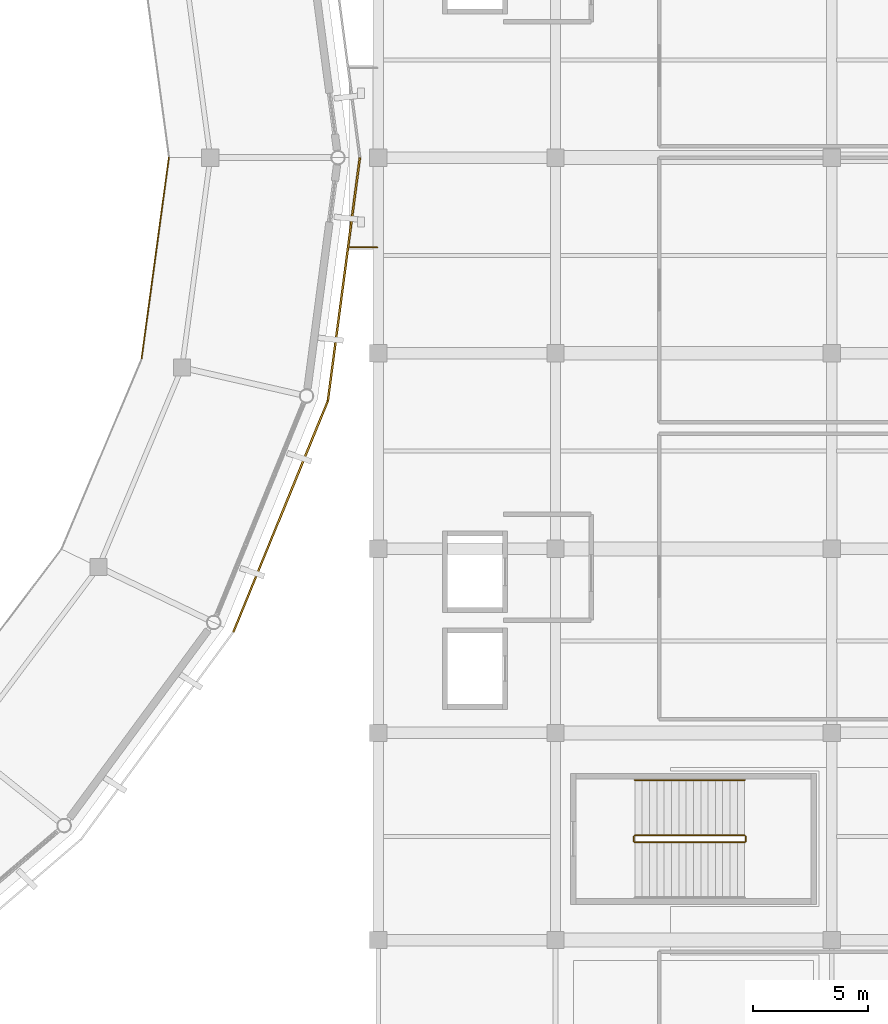
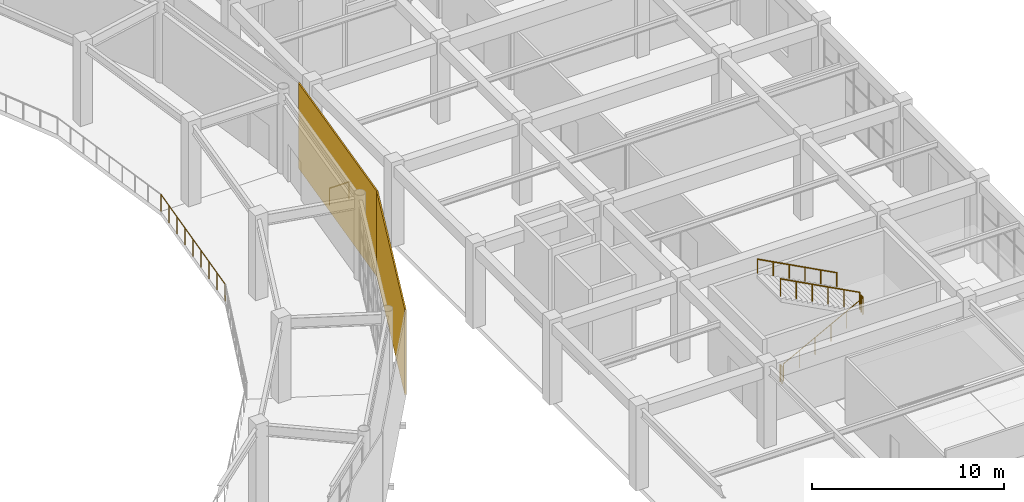
# One storey, part 68 of 70: 7 railings, 2 coverings.
"""IFC4 building model written with IfcOpenShell, lengths in metres."""

import ifcopenshell
import ifcopenshell.guid

model = None  # the IFC model being written
_history = None  # IfcOwnerHistory: only IFC2X3 demands one
_inside = {}  # id of a spatial element -> (the spatial element, [elements in it])
_under = {}  # id of a project, library or spatial element -> (it, [spatial elements below it])
_declared = {}  # id of a project -> (the project, [libraries it declares])
_typed = {}  # id of a type object -> (the type object, [elements of that type])
_made_of = {}  # id of a material, layer set ... -> (it, [elements and type objects made of it])


def new_model(schema):
    """Start an empty IFC model of exactly this schema.

    Asked for "IFC4X3", IfcOpenShell would pick the latest addendum, in which some entities
    have other attributes; the version numbers below select the first issue.
    IFC2X3 requires an IfcOwnerHistory on every rooted entity: one is made here for all.
    """
    global model, _history
    if schema == "IFC4X3":
        model = ifcopenshell.file(schema_version=(4, 3, 0, 0))
    else:
        model = ifcopenshell.file(schema=schema)
    _inside.clear()
    _under.clear()
    _declared.clear()
    _typed.clear()
    _made_of.clear()
    _history = None
    if model.schema == "IFC2X3":
        org = make("IfcOrganization", Name="unknown")
        user = make(
            "IfcPersonAndOrganization",
            ThePerson=make("IfcPerson", FamilyName="unknown"),
            TheOrganization=org,
        )
        app = make(
            "IfcApplication",
            ApplicationDeveloper=org,
            Version="unknown",
            ApplicationFullName="unknown",
            ApplicationIdentifier="unknown",
        )
        _history = make(
            "IfcOwnerHistory",
            OwningUser=user,
            OwningApplication=app,
            ChangeAction="ADDED",
            CreationDate=0,
        )
    return model


def make(cls, **values):
    """One entity of the class cls with the attributes given. An attribute that is None is left unset."""
    return model.create_entity(
        cls, **{name: value for name, value in values.items() if value is not None}
    )


def rooted(cls, **values):
    """An entity with a GlobalId (a new one), such as an element, a storey or a relation."""
    return make(cls, GlobalId=ifcopenshell.guid.new(), OwnerHistory=_history, **values)


def si_unit(unit_type, name, prefix=None):
    """IfcSIUnit, for example si_unit("LENGTHUNIT", "METRE", prefix="MILLI")."""
    return make("IfcSIUnit", UnitType=unit_type, Prefix=prefix, Name=name)


def assignment(units):
    """IfcUnitAssignment: the units of a project."""
    return None if units is None else make("IfcUnitAssignment", Units=units)


def point(xyz):
    """IfcCartesianPoint."""
    return None if xyz is None else make("IfcCartesianPoint", Coordinates=xyz)


def direction(xyz):
    """IfcDirection."""
    return None if xyz is None else make("IfcDirection", DirectionRatios=xyz)


def frame(location, z_axis=None, x_axis=None):
    """IfcAxis2Placement3D, a coordinate frame: its origin and axes. An axis left out is left unset."""
    return make(
        "IfcAxis2Placement3D",
        Location=point(location),
        Axis=direction(z_axis),
        RefDirection=direction(x_axis),
    )


def frame_2d(location, x_axis=None):
    """IfcAxis2Placement2D, a coordinate frame in the plane: its origin and x axis."""
    return make(
        "IfcAxis2Placement2D", Location=point(location), RefDirection=direction(x_axis)
    )


def origin():
    """The frame at (0, 0, 0) with its axes left unset."""
    return frame((0.0, 0.0, 0.0))


def origin_2d():
    """The frame at (0, 0) in the plane with its x axis left unset."""
    return frame_2d((0.0, 0.0))


def place(relative_to, where):
    """IfcLocalPlacement: puts the frame where relative to a parent placement (None: the world)."""
    return make(
        "IfcLocalPlacement", PlacementRelTo=relative_to, RelativePlacement=where
    )


def context(
    kind, dimensions, precision=None, world=None, true_north=None, identifier=None
):
    """IfcGeometricRepresentationContext, for example the 3D "Model" context."""
    return make(
        "IfcGeometricRepresentationContext",
        ContextIdentifier=identifier,
        ContextType=kind,
        CoordinateSpaceDimension=dimensions,
        Precision=precision,
        WorldCoordinateSystem=world,
        TrueNorth=true_north,
    )


def subcontext(parent, identifier, kind, view, scale=None):
    """IfcGeometricRepresentationSubContext, for example "Body" below "Model"."""
    return make(
        "IfcGeometricRepresentationSubContext",
        ContextIdentifier=identifier,
        ContextType=kind,
        ParentContext=parent,
        TargetScale=scale,
        TargetView=view,
    )


def project(units=None, contexts=None):
    """IfcProject with its units and contexts."""
    return rooted(
        "IfcProject",
        Name="project",
        RepresentationContexts=contexts,
        UnitsInContext=assignment(units),
    )


def spatial(cls, under=None, at=None, **own):
    """A site, building, storey or space (cls), placed at a placement, below another one or the project."""
    s = rooted(cls, ObjectPlacement=at, **own)
    if under is not None:
        _under.setdefault(under.id(), (under, []))[1].append(s)
    return s


def profile(cls, at=None, kind="AREA", **sizes):
    """A parametric profile (cls). Its sizes go by their IFC names, for example OverallWidth=200.0."""
    return make(cls, ProfileType=kind, Position=at, **sizes)


def rectangle(**sizes):
    """IfcRectangleProfileDef."""
    return profile("IfcRectangleProfileDef", **sizes)


def circle(**sizes):
    """IfcCircleProfileDef."""
    return profile("IfcCircleProfileDef", **sizes)


def extrude(swept, where, along, depth):
    """IfcExtrudedAreaSolid: the profile swept, set in the frame where, extruded along a direction by depth."""
    return make(
        "IfcExtrudedAreaSolid",
        SweptArea=swept,
        Position=where,
        ExtrudedDirection=direction(along),
        Depth=depth,
    )


def shape(context_of_items, identifier, shape_type, items):
    """IfcShapeRepresentation: the items that make up one representation, for example the "Body"."""
    return make(
        "IfcShapeRepresentation",
        ContextOfItems=context_of_items,
        RepresentationIdentifier=identifier,
        RepresentationType=shape_type,
        Items=items,
    )


def material(Name=None, Category=None):
    """IfcMaterial."""
    return make("IfcMaterial", Name=Name, Category=Category)


def layer(
    of_material, thickness, ventilated=None, Name=None, Category=None, Priority=None
):
    """IfcMaterialLayer: one layer of a wall or slab, of a material (None: an air gap)."""
    return make(
        "IfcMaterialLayer",
        Material=of_material,
        LayerThickness=thickness,
        IsVentilated=ventilated,
        Name=Name,
        Category=Category,
        Priority=Priority,
    )


def layer_set(layers, Name=None):
    """IfcMaterialLayerSet."""
    return make("IfcMaterialLayerSet", MaterialLayers=layers, LayerSetName=Name)


def made_of(thing, what):
    """Note that an element or type object is made of a material, layer set ...; save() writes the relation."""
    if what is not None:
        _made_of.setdefault(what.id(), (what, []))[1].append(thing)
    return thing


def type_object(cls, material=None, **own):
    """A type object (cls), such as IfcWallType, which elements share."""
    return made_of(rooted(cls, **own), material)


def element(
    cls,
    number,
    at=None,
    inside=None,
    cuts=None,
    type_object=None,
    material=None,
    context=None,
    identifier="Body",
    shape_type=None,
    held_by="IfcProductDefinitionShape",
    body=None,
    shapes=None,
    **own,
):
    """One element of the class cls, such as IfcWall. Its Tag is "e" and its number.

    at: its placement. inside: the storey or other place that contains it. cuts: it is an
    opening in that element (IfcRelVoidsElement). A single representation is given by context,
    identifier, shape_type and body (its items); several are given by shapes. held_by: the class
    of the entity that holds the representations. save() writes the other relations.
    """
    e = rooted(cls, Tag="e%d" % number, ObjectPlacement=at, **own)
    if body is not None:
        shapes = [shape(context, identifier, shape_type, body)]
    if shapes is not None:
        e.Representation = make(held_by, Representations=shapes)
    if inside is not None:
        _inside.setdefault(inside.id(), (inside, []))[1].append(e)
    if cuts is not None:
        rooted(
            "IfcRelVoidsElement", RelatingBuildingElement=cuts, RelatedOpeningElement=e
        )
    if type_object is not None:
        _typed.setdefault(type_object.id(), (type_object, []))[1].append(e)
    return made_of(e, material)


def aggregate(whole, parts):
    """IfcRelAggregates: a whole, such as a stair, and the parts it consists of."""
    return rooted("IfcRelAggregates", RelatingObject=whole, RelatedObjects=parts)


def save(model, path):
    """Write the relations noted so far, then the file.

    IfcRelAggregates (storeys below a building ...), IfcRelContainedInSpatialStructure (elements
    in a storey), IfcRelDefinesByType, IfcRelAssociatesMaterial and IfcRelDeclares: one each for
    every whole, place, type object, material and project.
    """
    for whole, parts in _under.values():
        aggregate(whole, parts)
    for where, things in _inside.values():
        rooted(
            "IfcRelContainedInSpatialStructure",
            RelatedElements=things,
            RelatingStructure=where,
        )
    for kind, things in _typed.values():
        rooted("IfcRelDefinesByType", RelatedObjects=things, RelatingType=kind)
    for what, things in _made_of.values():
        rooted("IfcRelAssociatesMaterial", RelatedObjects=things, RelatingMaterial=what)
    for by, libraries in _declared.values():
        rooted("IfcRelDeclares", RelatingContext=by, RelatedDefinitions=libraries)
    model.write(path)


model = new_model("IFC4")

# Units and contexts
model_context = context("Model", 3, precision=1e-05, world=origin(), true_north=direction((0.0, 1.0)))
body_context = subcontext(model_context, "Body", "Model", "MODEL_VIEW")
ifc_project = project(units=[si_unit("LENGTHUNIT", "METRE"), si_unit("AREAUNIT", "SQUARE_METRE"), si_unit("VOLUMEUNIT", "CUBIC_METRE"), si_unit("PLANEANGLEUNIT", "RADIAN"), si_unit("MASSUNIT", "GRAM", prefix="KILO")], contexts=[model_context])

# Site, building, storey
site_placement = place(None, origin())
site = spatial("IfcSite", under=ifc_project, at=site_placement, CompositionType="ELEMENT")
building_placement = place(site_placement, origin())
building = spatial("IfcBuilding", under=site, at=building_placement, Name="Cuetzalor Civic Arena", CompositionType="ELEMENT")
storey_placement = place(building_placement, frame((0.0, 0.0, 21.0)))
storey = spatial("IfcBuildingStorey", under=building, at=storey_placement, Name="L04", CompositionType="ELEMENT", Elevation=21.0)

# Railings
ifc_material_1 = material(Name="Reseda-green Steel S355 and laminated glass guard", Category="steel")
railing_type_1 = type_object("IfcRailingType", Name="BowlSightlineGuard_1100", PredefinedType="BALUSTRADE", material=ifc_material_1)
railing_1_placement = place(storey_placement, frame((46.0166015625, -8.722900390625, 0.0)))
element("IfcRailing", 1, at=railing_1_placement, inside=storey, type_object=railing_type_1, Name="Sky Gallery Bowl Rim Balustrade S28", PredefinedType="BALUSTRADE", context=body_context, shape_type="SweptSolid", body=[
    extrude(circle(Radius=0.02392578125, at=origin_2d()), frame((0.0, 0.0, 1.076171875), z_axis=(0.134428756655, 0.990923261097, 0.0), x_axis=(-0.990923261097, 0.134428756655, 0.0)), (0.0, 0.0, 1.0), 8.802734375),
    extrude(circle(Radius=0.02099609375, at=origin_2d()), origin(), (0.0, 0.0, 1.0), 1.052001953125),
    extrude(circle(Radius=0.02099609375, at=origin_2d()), frame((0.14794921875, 1.09033203125, 0.0)), (0.0, 0.0, 1.0), 1.052001953125),
    extrude(circle(Radius=0.02099609375, at=origin_2d()), frame((0.2958984375, 2.1806640625, 0.0)), (0.0, 0.0, 1.0), 1.052001953125),
    extrude(circle(Radius=0.02099609375, at=origin_2d()), frame((0.44384765625, 3.27099609375, 0.0)), (0.0, 0.0, 1.0), 1.052001953125),
    extrude(circle(Radius=0.02099609375, at=origin_2d()), frame((0.591796875, 4.361328125, 0.0)), (0.0, 0.0, 1.0), 1.052001953125),
    extrude(circle(Radius=0.02099609375, at=origin_2d()), frame((0.739501953125, 5.451904296875, 0.0)), (0.0, 0.0, 1.0), 1.052001953125),
    extrude(circle(Radius=0.02099609375, at=origin_2d()), frame((0.887451171875, 6.542236328125, 0.0)), (0.0, 0.0, 1.0), 1.052001953125),
    extrude(circle(Radius=0.02099609375, at=origin_2d()), frame((1.035400390625, 7.632568359375, 0.0)), (0.0, 0.0, 1.0), 1.052001953125),
    extrude(circle(Radius=0.02099609375, at=origin_2d()), frame((1.183349609375, 8.722900390625, 0.0)), (0.0, 0.0, 1.0), 1.052001953125),
])
ifc_material_2 = material(Name="Reseda-green architectural Steel S355 balustrade", Category="steel")
railing_type_2 = type_object("IfcRailingType", Name="InteriorVoidBalustrade_1100", PredefinedType="BALUSTRADE", material=ifc_material_2)
railing_2_placement = place(storey_placement, frame((67.449951171875, -29.75, 0.168701171875)))
element("IfcRailing", 2, at=railing_2_placement, inside=storey, type_object=railing_type_2, Name="L04 ST-21 stair guard 1", PredefinedType="BALUSTRADE", context=body_context, shape_type="SweptSolid", body=[
    extrude(circle(Radius=0.02392578125, at=origin_2d()), frame((0.0, 0.0, 1.0810546875), z_axis=(0.883332211103, 0.0, 0.468747485143), x_axis=(0.0, 1.0, 0.0)), (0.0, 0.0, 1.0), 5.400146484375),
    extrude(circle(Radius=0.02099609375, at=origin_2d()), origin(), (0.0, 0.0, 1.0), 1.056884765625),
    extrude(circle(Radius=0.02099609375, at=origin_2d()), frame((0.9541015625, 0.0, 0.50634765625)), (0.0, 0.0, 1.0), 1.056884765625),
    extrude(circle(Radius=0.02099609375, at=origin_2d()), frame((1.907958984375, 0.0, 1.012451171875)), (0.0, 0.0, 1.0), 1.056884765625),
    extrude(circle(Radius=0.02099609375, at=origin_2d()), frame((2.862060546875, 0.0, 1.518798828125)), (0.0, 0.0, 1.0), 1.056884765625),
    extrude(circle(Radius=0.02099609375, at=origin_2d()), frame((3.81591796875, 0.0, 2.02490234375)), (0.0, 0.0, 1.0), 1.056884765625),
    extrude(circle(Radius=0.02099609375, at=origin_2d()), frame((4.77001953125, 0.0, 2.53125)), (0.0, 0.0, 1.0), 1.056884765625),
])
railing_3_placement = place(storey_placement, frame((72.27001953125, -29.699951171875, 2.699951171875)))
element("IfcRailing", 3, at=railing_3_placement, inside=storey, type_object=railing_type_2, Name="L04 ST-21 stair guard 2", PredefinedType="BALUSTRADE", context=body_context, shape_type="SweptSolid", body=[
    extrude(circle(Radius=0.02392578125, at=origin_2d()), frame((0.0, 0.0, 1.0810546875), z_axis=(0.0, 1.0, 0.0), x_axis=(-1.0, 0.0, 0.0)), (0.0, 0.0, 1.0), 0.199951171875),
    extrude(circle(Radius=0.02099609375, at=origin_2d()), origin(), (0.0, 0.0, 1.0), 1.056884765625),
    extrude(circle(Radius=0.02099609375, at=origin_2d()), frame((0.0, 0.199951171875, 0.0)), (0.0, 0.0, 1.0), 1.056884765625),
])
railing_4_placement = place(storey_placement, frame((72.219970703125, -29.449951171875, 2.86865234375)))
element("IfcRailing", 4, at=railing_4_placement, inside=storey, type_object=railing_type_2, Name="L04 ST-21 stair guard 3", PredefinedType="BALUSTRADE", context=body_context, shape_type="SweptSolid", body=[
    extrude(circle(Radius=0.02392578125, at=origin_2d()), frame((0.0, 0.0, 1.0810546875), z_axis=(-0.883332211103, 0.0, 0.468747485143), x_axis=(0.0, -1.0, 0.0)), (0.0, 0.0, 1.0), 5.400146484375),
    extrude(circle(Radius=0.02099609375, at=origin_2d()), origin(), (0.0, 0.0, 1.0), 1.056884765625),
    extrude(circle(Radius=0.02099609375, at=origin_2d()), frame((-0.9541015625, 0.0, 0.50634765625)), (0.0, 0.0, 1.0), 1.056884765625),
    extrude(circle(Radius=0.02099609375, at=origin_2d()), frame((-1.907958984375, 0.0, 1.012451171875)), (0.0, 0.0, 1.0), 1.056884765625),
    extrude(circle(Radius=0.02099609375, at=origin_2d()), frame((-2.862060546875, 0.0, 1.518798828125)), (0.0, 0.0, 1.0), 1.056884765625),
    extrude(circle(Radius=0.02099609375, at=origin_2d()), frame((-3.81591796875, 0.0, 2.02490234375)), (0.0, 0.0, 1.0), 1.056884765625),
    extrude(circle(Radius=0.02099609375, at=origin_2d()), frame((-4.77001953125, 0.0, 2.53125)), (0.0, 0.0, 1.0), 1.056884765625),
])
railing_5_placement = place(storey_placement, frame((67.39990234375, -29.699951171875, 0.0)))
element("IfcRailing", 5, at=railing_5_placement, inside=storey, type_object=railing_type_2, Name="L04 ST-21 stair guard 4", PredefinedType="BALUSTRADE", context=body_context, shape_type="SweptSolid", body=[
    extrude(circle(Radius=0.02392578125, at=origin_2d()), frame((0.0, 0.0, 1.0810546875), z_axis=(0.0, 1.0, 0.0), x_axis=(-1.0, 0.0, 0.0)), (0.0, 0.0, 1.0), 0.199951171875),
    extrude(circle(Radius=0.02099609375, at=origin_2d()), origin(), (0.0, 0.0, 1.0), 1.056884765625),
    extrude(circle(Radius=0.02099609375, at=origin_2d()), frame((0.0, 0.199951171875, 0.0)), (0.0, 0.0, 1.0), 1.056884765625),
])
railing_6_placement = place(storey_placement, frame((55.080078125, -3.89990234375, 0.0)))
element("IfcRailing", 6, at=railing_6_placement, inside=storey, type_object=railing_type_2, Name="Seismic Bridge Balustrade V4E L04 S", PredefinedType="BALUSTRADE", context=body_context, shape_type="SweptSolid", body=[
    extrude(circle(Radius=0.02392578125, at=origin_2d()), frame((0.0, 0.0, 1.076171875), z_axis=(1.0, 0.0, 0.0), x_axis=(0.0, 1.0, 0.0)), (0.0, 0.0, 1.0), 1.169921875),
    extrude(circle(Radius=0.02099609375, at=origin_2d()), origin(), (0.0, 0.0, 1.0), 1.052001953125),
    extrude(circle(Radius=0.02099609375, at=origin_2d()), frame((1.169921875, 0.0, 0.0)), (0.0, 0.0, 1.0), 1.052001953125),
])
ifc_material_3 = material(Name="Galvanised steel S355", Category="steel")
railing_type_3 = type_object("IfcRailingType", Name="StairPitchHandrail_900", PredefinedType="HANDRAIL", material=ifc_material_3)
railing_7_placement = place(storey_placement, frame((72.219970703125, -27.050048828125, 2.86865234375)))
element("IfcRailing", 7, at=railing_7_placement, inside=storey, type_object=railing_type_3, Name="L04 ST-21 stair handrail 2", PredefinedType="HANDRAIL", context=body_context, shape_type="SweptSolid", body=[
    extrude(circle(Radius=0.02392578125, at=origin_2d()), frame((0.0, 0.0, 0.8759765625), z_axis=(-0.883332211103, 0.0, 0.468747485143), x_axis=(0.0, -1.0, 0.0)), (0.0, 0.0, 1.0), 5.400146484375),
    extrude(circle(Radius=0.02099609375, at=origin_2d()), origin(), (0.0, 0.0, 1.0), 0.851806640625),
    extrude(circle(Radius=0.02099609375, at=origin_2d()), frame((-0.9541015625, 0.0, 0.50634765625)), (0.0, 0.0, 1.0), 0.851806640625),
    extrude(circle(Radius=0.02099609375, at=origin_2d()), frame((-1.907958984375, 0.0, 1.012451171875)), (0.0, 0.0, 1.0), 0.851806640625),
    extrude(circle(Radius=0.02099609375, at=origin_2d()), frame((-2.862060546875, 0.0, 1.518798828125)), (0.0, 0.0, 1.0), 0.851806640625),
    extrude(circle(Radius=0.02099609375, at=origin_2d()), frame((-3.81591796875, 0.0, 2.02490234375)), (0.0, 0.0, 1.0), 0.851806640625),
    extrude(circle(Radius=0.02099609375, at=origin_2d()), frame((-4.77001953125, 0.0, 2.53125)), (0.0, 0.0, 1.0), 0.851806640625),
])

# Coverings
ifc_material_4 = material(Name="Terracotta-red perforated anodised aluminium panel", Category="masonry")
ifc_layer = layer(ifc_material_4, 0.080078125)
ifc_layer_set = layer_set([ifc_layer], Name="Terracotta-red perforated anodised aluminium panel")
covering_type = type_object("IfcCoveringType", Name="TerracottaPerforatedScreenPanel", PredefinedType="CLADDING", material=ifc_layer_set)
covering_1_placement = place(storey_placement, frame((54.1083984375, -10.569580078125, -0.139892578125), z_axis=(0.0, 0.0, 1.0), x_axis=(-0.378411973316, -0.925637282336, 0.0)))
element("IfcCovering", 8, at=covering_1_placement, inside=storey, type_object=covering_type, Name="Terracotta Perforated Drum Screen L04-S27", PredefinedType="CLADDING", context=body_context, shape_type="SweptSolid", body=[
    extrude(rectangle(XDim=10.8466796875, YDim=0.080078125, at=frame_2d((5.42333984375, 0.0))), origin(), (0.0, 0.0, 1.0), 5.419921875),
])
covering_2_placement = place(storey_placement, frame((55.5, 0.0, -0.139892578125), z_axis=(0.0, 0.0, 1.0), x_axis=(-0.130534485624, -0.991443769491, 0.0)))
element("IfcCovering", 9, at=covering_2_placement, inside=storey, type_object=covering_type, Name="Terracotta Perforated Drum Screen L04-S28", PredefinedType="CLADDING", context=body_context, shape_type="SweptSolid", body=[
    extrude(rectangle(XDim=10.660888671875, YDim=0.080078125, at=frame_2d((5.33056640625, 0.0))), origin(), (0.0, 0.0, 1.0), 5.419921875),
])

save(model, "model.ifc")
